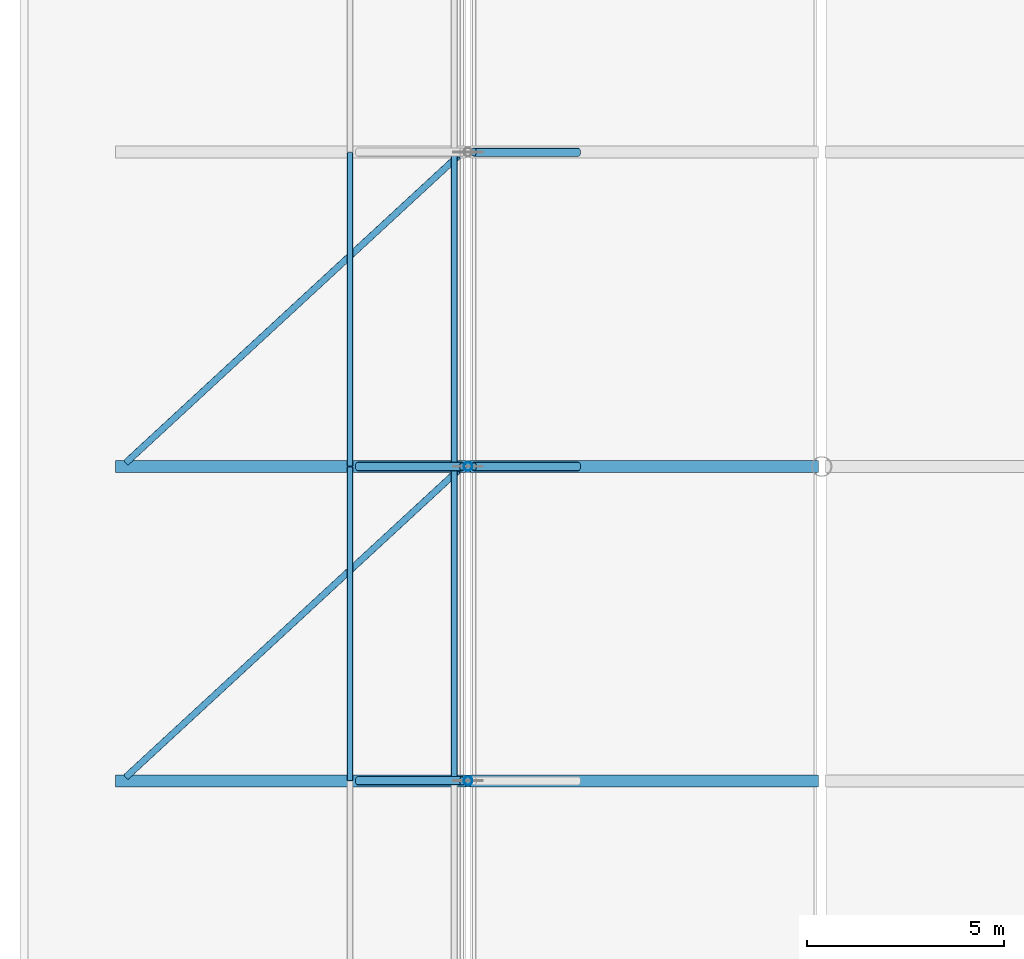
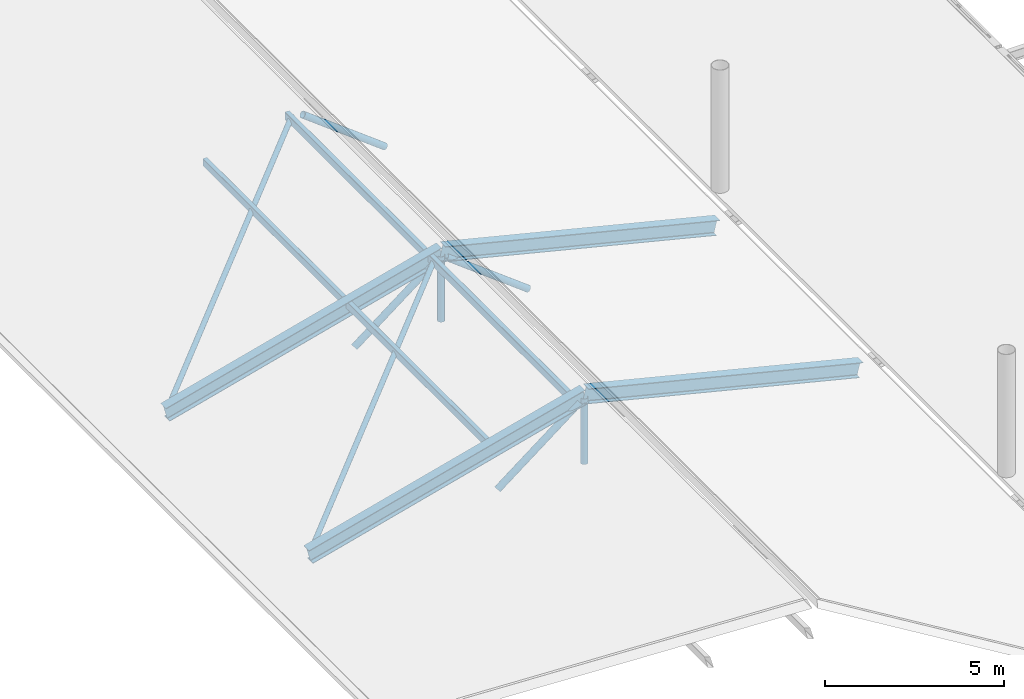
# One storey, part 21 of 128: 12 members, 4 beams.
"""IFC4 building model written with IfcOpenShell, lengths in metres."""

from ifc_helpers import new_model, si_unit, derived_unit, direction, frame, origin, origin_2d, place, context, subcontext, project, spatial, hollow_rectangle, hollow_circle, i_section, extrude, material, material_profile, profile_set, type_object, element, save


model = new_model("IFC4")

# Units and contexts
model_context = context("Model", 3, precision=1e-05, world=origin(), true_north=direction((0.0, 1.0)))
body_context = subcontext(model_context, "Body", "Model", "MODEL_VIEW")
ifc_project = project(units=[si_unit("LENGTHUNIT", "METRE"), si_unit("AREAUNIT", "SQUARE_METRE"), si_unit("VOLUMEUNIT", "CUBIC_METRE"), si_unit("PLANEANGLEUNIT", "RADIAN"), si_unit("MASSUNIT", "GRAM", prefix="KILO"), derived_unit("THERMALTRANSMITTANCEUNIT", [(si_unit("MASSUNIT", "GRAM", prefix="KILO"), 1), (si_unit("TIMEUNIT", "SECOND"), -3), (si_unit("THERMODYNAMICTEMPERATUREUNIT", "KELVIN"), -1)])], contexts=[model_context])

# Site, building, storey
site_placement = place(None, origin())
site = spatial("IfcSite", under=ifc_project, at=site_placement, CompositionType="ELEMENT")
building_placement = place(site_placement, origin())
building = spatial("IfcBuilding", under=site, at=building_placement, Name="Zhenchuan Archway Interchange", CompositionType="ELEMENT")
storey_placement = place(building_placement, frame((0.0, 0.0, 14.39990234375)))
storey = spatial("IfcBuildingStorey", under=building, at=storey_placement, Name="L03", CompositionType="ELEMENT", Elevation=14.39990234375)

# Beams
ifc_material_1 = material(Name="Steel Q390", Category="steel")
ifc_material_profile_1 = material_profile(ifc_material_1, i_section(OverallWidth=0.300048828125, OverallDepth=0.5, WebThickness=0.010986328125, FlangeThickness=0.01806640625, FilletRadius=0.02197265625, at=origin_2d()), Name="HM 500x300")
ifc_profile_set_1 = profile_set([ifc_material_profile_1], Name="Steel Q390")
beam_type = type_object("IfcBeamType", Name="BM_STL_HM500", PredefinedType="BEAM", material=ifc_profile_set_1)
beam_1_placement = place(storey_placement, frame((0.10009765625, 48.0, -1.3798828125), z_axis=(0.966597493946, 0.0, 0.256299209318), x_axis=(0.0, 1.0, 0.0)))
element("IfcBeam", 1, at=beam_1_placement, inside=storey, type_object=beam_type, Name="ROOF TRUSS bus canopy T4 top chord 1", PredefinedType="BEAM", context=body_context, shape_type="SweptSolid", body=[
    extrude(i_section(OverallWidth=0.300048828125, OverallDepth=0.5, WebThickness=0.010986328125, FlangeThickness=0.01806640625, FilletRadius=0.02197265625, at=origin_2d()), origin(), (0.0, 0.0, 1.0), 9.20751953125),
])
beam_2_placement = place(storey_placement, frame((9.0, 48.0, 0.97998046875), z_axis=(0.970529815041, 0.0, -0.240981074187), x_axis=(0.0, 1.0, 0.0)))
element("IfcBeam", 2, at=beam_2_placement, inside=storey, type_object=beam_type, Name="ROOF TRUSS bus canopy T4 top chord 2", PredefinedType="BEAM", context=body_context, shape_type="SweptSolid", body=[
    extrude(i_section(OverallWidth=0.300048828125, OverallDepth=0.5, WebThickness=0.010986328125, FlangeThickness=0.01806640625, FilletRadius=0.02197265625, at=origin_2d()), origin(), (0.0, 0.0, 1.0), 9.129150390625),
])
beam_3_placement = place(storey_placement, frame((0.10009765625, 56.0, -1.3798828125), z_axis=(0.966597493946, 0.0, 0.256299209318), x_axis=(0.0, 1.0, 0.0)))
element("IfcBeam", 3, at=beam_3_placement, inside=storey, type_object=beam_type, Name="ROOF TRUSS bus canopy T5 top chord 1", PredefinedType="BEAM", context=body_context, shape_type="SweptSolid", body=[
    extrude(i_section(OverallWidth=0.300048828125, OverallDepth=0.5, WebThickness=0.010986328125, FlangeThickness=0.01806640625, FilletRadius=0.02197265625, at=origin_2d()), origin(), (0.0, 0.0, 1.0), 9.20751953125),
])
beam_4_placement = place(storey_placement, frame((9.0, 56.0, 0.97998046875), z_axis=(0.970529815041, 0.0, -0.240981074187), x_axis=(0.0, 1.0, 0.0)))
element("IfcBeam", 4, at=beam_4_placement, inside=storey, type_object=beam_type, Name="ROOF TRUSS bus canopy T5 top chord 2", PredefinedType="BEAM", context=body_context, shape_type="SweptSolid", body=[
    extrude(i_section(OverallWidth=0.300048828125, OverallDepth=0.5, WebThickness=0.010986328125, FlangeThickness=0.01806640625, FilletRadius=0.02197265625, at=origin_2d()), origin(), (0.0, 0.0, 1.0), 9.129150390625),
])

# Members
ifc_material_2 = material(Name="Steel Q355", Category="steel")
ifc_material_profile_2 = material_profile(ifc_material_2, hollow_circle(Radius=0.083984375, WallThickness=0.008056640625, at=origin_2d()), Name="CHS 168x8")
ifc_profile_set_2 = profile_set([ifc_material_profile_2], Name="Steel Q355")
member_type_1 = type_object("IfcMemberType", Name="MB_CHS168", PredefinedType="BRACE", material=ifc_profile_set_2)
for number, where, z_axis, x_axis, name in (
    (5, (0.300048828125, 48.10009765625, -1.219970703125), (0.72240590954, 0.666823379792, 0.18296524813), (-0.678273048467, 0.734809956195, 0.0), "Bus canopy wind brace B4-W"),
    (6, (0.300048828125, 56.10009765625, -1.219970703125), (0.72240590954, 0.666823379792, 0.18296524813), (-0.678273048467, 0.734809956195, 0.0), "Bus canopy wind brace B5-W"),
):
    element("IfcMember", number, at=place(storey_placement, frame(where, z_axis=z_axis, x_axis=x_axis)), inside=storey, type_object=member_type_1, Name=name, PredefinedType="BRACE", context=body_context, shape_type="SweptSolid", body=[
        extrude(hollow_circle(Radius=0.083984375, WallThickness=0.008056640625, at=origin_2d()), origin(), (0.0, 0.0, 1.0), 11.697021484375),
    ])
ifc_material_profile_3 = material_profile(ifc_material_2, hollow_circle(Radius=0.109619140625, WallThickness=0.008056640625, at=origin_2d()), Name="CHS 219x8")
ifc_profile_set_3 = profile_set([ifc_material_profile_3], Name="Steel Q355")
member_type_2 = type_object("IfcMemberType", Name="MB_CHS219", PredefinedType="BRACE", material=ifc_profile_set_3)
member_1_placement = place(storey_placement, frame((9.0, 48.0, -1.349853515625), z_axis=(0.0, 0.0, 1.0), x_axis=(1.0, 0.0, 0.0)))
element("IfcMember", 7, at=member_1_placement, inside=storey, type_object=member_type_2, Name="ROOF TRUSS bus canopy T4 web V1", PredefinedType="BRACE", context=body_context, shape_type="SweptSolid", body=[
    extrude(hollow_circle(Radius=0.109619140625, WallThickness=0.008056640625, at=origin_2d()), origin(), (0.0, 0.0, 1.0), 2.22998046875),
])
member_2_placement = place(storey_placement, frame((6.199951171875, 48.0, -1.290771484375), z_axis=(0.790860205512, 0.0, 0.611996842588), x_axis=(0.0, 1.0, 0.0)))
element("IfcMember", 8, at=member_2_placement, inside=storey, type_object=member_type_2, Name="ROOF TRUSS bus canopy T4 web D1", PredefinedType="BRACE", context=body_context, shape_type="SweptSolid", body=[
    extrude(hollow_circle(Radius=0.109619140625, WallThickness=0.008056640625, at=origin_2d()), origin(), (0.0, 0.0, 1.0), 3.35107421875),
])
member_3_placement = place(storey_placement, frame((9.0, 56.0, -1.349853515625), z_axis=(0.0, 0.0, 1.0), x_axis=(1.0, 0.0, 0.0)))
element("IfcMember", 9, at=member_3_placement, inside=storey, type_object=member_type_2, Name="ROOF TRUSS bus canopy T5 web V1", PredefinedType="BRACE", context=body_context, shape_type="SweptSolid", body=[
    extrude(hollow_circle(Radius=0.109619140625, WallThickness=0.008056640625, at=origin_2d()), origin(), (0.0, 0.0, 1.0), 2.22998046875),
])
member_4_placement = place(storey_placement, frame((6.199951171875, 56.0, -1.290771484375), z_axis=(0.790860205512, 0.0, 0.611996842588), x_axis=(0.0, 1.0, 0.0)))
element("IfcMember", 10, at=member_4_placement, inside=storey, type_object=member_type_2, Name="ROOF TRUSS bus canopy T5 web D1", PredefinedType="BRACE", context=body_context, shape_type="SweptSolid", body=[
    extrude(hollow_circle(Radius=0.109619140625, WallThickness=0.008056640625, at=origin_2d()), origin(), (0.0, 0.0, 1.0), 3.35107421875),
])
for number, where, z_axis, x_axis, name in (
    (11, (11.800048828125, 56.0, -1.254638671875), (-0.796084461129, 0.0, 0.605185534154), (0.0, -1.0, 0.0), "ROOF TRUSS bus canopy T5 web D2"),
    (12, (11.800048828125, 64.0, -1.254638671875), (-0.796084461129, 0.0, 0.605185534154), (0.0, -1.0, 0.0), "ROOF TRUSS bus canopy T6 web D2"),
):
    element("IfcMember", number, at=place(storey_placement, frame(where, z_axis=z_axis, x_axis=x_axis)), inside=storey, type_object=member_type_2, Name=name, PredefinedType="BRACE", context=body_context, shape_type="SweptSolid", body=[
        extrude(hollow_circle(Radius=0.109619140625, WallThickness=0.008056640625, at=origin_2d()), origin(), (0.0, 0.0, 1.0), 3.328857421875),
    ])
ifc_material_profile_4 = material_profile(ifc_material_2, hollow_rectangle(XDim=0.14990234375, YDim=0.25, WallThickness=0.008056640625, InnerFilletRadius=0.008056640625, OuterFilletRadius=0.01611328125, at=origin_2d()), Name="RHS 250x150x8")
ifc_profile_set_4 = profile_set([ifc_material_profile_4], Name="Steel Q355")
member_type_3 = type_object("IfcMemberType", Name="MB_RHS250", PredefinedType="PURLIN", material=ifc_profile_set_4)
for number, where, z_axis, x_axis, name in (
    (13, (6.0, 48.008056640625, 0.260009765625), (0.0, 1.0, 0.0), (-1.0, 0.0, 0.0), "Bus canopy roof purlin B4-P2"),
    (14, (6.0, 56.008056640625, 0.260009765625), (0.0, 1.0, 0.0), (-1.0, 0.0, 0.0), "Bus canopy roof purlin B5-P2"),
):
    element("IfcMember", number, at=place(storey_placement, frame(where, z_axis=z_axis, x_axis=x_axis)), inside=storey, type_object=member_type_3, Name=name, PredefinedType="PURLIN", context=body_context, shape_type="SweptSolid", body=[
        extrude(hollow_rectangle(XDim=0.14990234375, YDim=0.25, WallThickness=0.008056640625, InnerFilletRadius=0.008056640625, OuterFilletRadius=0.01611328125, at=origin_2d()), origin(), (0.0, 0.0, 1.0), 7.98388671875),
    ])
ifc_material_profile_5 = material_profile(ifc_material_2, hollow_rectangle(XDim=0.159912109375, YDim=0.260009765625, WallThickness=0.010009765625, InnerFilletRadius=0.010009765625, OuterFilletRadius=0.02001953125, at=origin_2d()), Name="RHS 260x160x10")
ifc_profile_set_5 = profile_set([ifc_material_profile_5], Name="Steel Q355")
member_type_4 = type_object("IfcMemberType", Name="MB_RHS260", PredefinedType="PURLIN", material=ifc_profile_set_5)
for number, where, z_axis, x_axis, name in (
    (15, (8.64990234375, 48.008056640625, 0.920166015625), (0.0, 1.0, 0.0), (-1.0, 0.0, 0.0), "Bus canopy roof purlin B4-P3"),
    (16, (8.64990234375, 56.008056640625, 0.920166015625), (0.0, 1.0, 0.0), (-1.0, 0.0, 0.0), "Bus canopy roof purlin B5-P3"),
):
    element("IfcMember", number, at=place(storey_placement, frame(where, z_axis=z_axis, x_axis=x_axis)), inside=storey, type_object=member_type_4, Name=name, PredefinedType="PURLIN", context=body_context, shape_type="SweptSolid", body=[
        extrude(hollow_rectangle(XDim=0.159912109375, YDim=0.260009765625, WallThickness=0.010009765625, InnerFilletRadius=0.010009765625, OuterFilletRadius=0.02001953125, at=origin_2d()), origin(), (0.0, 0.0, 1.0), 7.98388671875),
    ])

save(model, "model.ifc")
